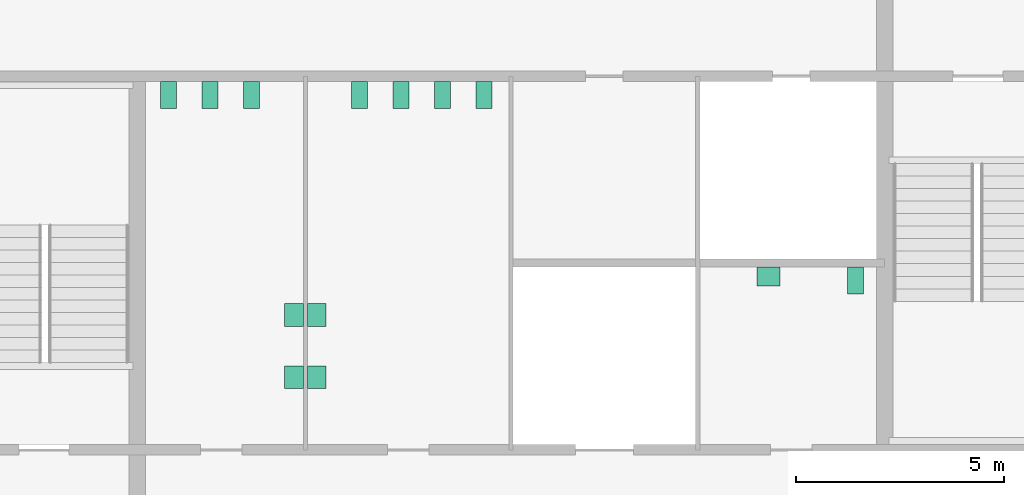
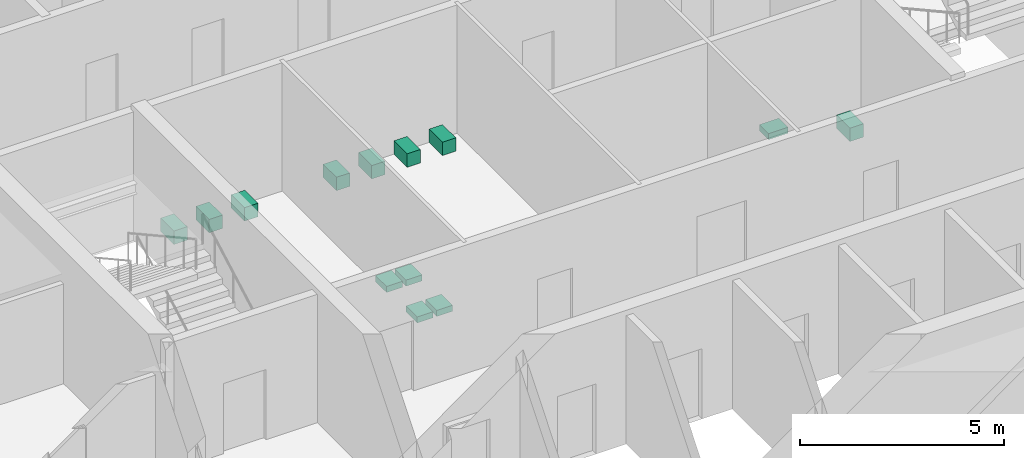
# One storey, part 12 of 12: 13 sanitary terminals.
"""IFC4 building model written with IfcOpenShell, lengths in metres."""

from ifc_helpers import new_model, si_unit, direction, frame, origin, origin_2d, place, context, subcontext, project, spatial, rectangle, extrude, material, type_object, element, save


model = new_model("IFC4")

# Units and contexts
model_context = context("Model", 3, precision=1e-05, world=origin(), true_north=direction((0.0, 1.0)))
body_context = subcontext(model_context, "Body", "Model", "MODEL_VIEW")
ifc_project = project(units=[si_unit("LENGTHUNIT", "METRE"), si_unit("AREAUNIT", "SQUARE_METRE"), si_unit("VOLUMEUNIT", "CUBIC_METRE"), si_unit("PLANEANGLEUNIT", "RADIAN"), si_unit("MASSUNIT", "GRAM", prefix="KILO")], contexts=[model_context])

# Site, building, storey
site_placement = place(None, origin())
site = spatial("IfcSite", under=ifc_project, at=site_placement, CompositionType="ELEMENT")
building_placement = place(site_placement, origin())
building = spatial("IfcBuilding", under=site, at=building_placement, Name="Corais Broadcast Tower", CompositionType="ELEMENT")
storey_placement = place(building_placement, frame((0.0, 0.0, 143.60009765625)))
storey = spatial("IfcBuildingStorey", under=building, at=storey_placement, Name="L32", CompositionType="ELEMENT", Elevation=143.60009765625)

# Sanitary terminals
ifc_material_1 = material(Name="Vitreous china", Category="ceramic")
sanitary_terminal_type_1 = type_object("IfcSanitaryTerminalType", Name="WC pan 380x650", PredefinedType="TOILETPAN", material=ifc_material_1)
for number, where, z_axis, x_axis, name in (
    (1, (18.75, 31.050048828125, 0.0), (0.0, 0.0, 1.0), (1.0, 0.0, 0.0), "SW1 WC pan, male toilets L32"),
    (2, (19.75, 31.050048828125, 0.0), (0.0, 0.0, 1.0), (1.0, 0.0, 0.0), "SW1 WC pan, male toilets L32"),
    (3, (20.75, 31.050048828125, 0.0), (0.0, 0.0, 1.0), (1.0, 0.0, 0.0), "SW1 WC pan, male toilets L32"),
    (4, (23.35009765625, 31.050048828125, 0.0), (0.0, 0.0, 1.0), (1.0, 0.0, 0.0), "SW1 WC pan, female toilets L32"),
    (5, (24.35009765625, 31.050048828125, 0.0), (0.0, 0.0, 1.0), (1.0, 0.0, 0.0), "SW1 WC pan, female toilets L32"),
    (6, (25.35009765625, 31.050048828125, 0.0), (0.0, 0.0, 1.0), (1.0, 0.0, 0.0), "SW1 WC pan, female toilets L32"),
    (7, (26.35009765625, 31.050048828125, 0.0), (0.0, 0.0, 1.0), (1.0, 0.0, 0.0), "SW1 WC pan, female toilets L32"),
    (8, (35.300048828125, 26.574951171875, 0.0), (0.0, 0.0, 1.0), (1.0, 0.0, 0.0), "SW1 WC pan, accessible WC L32"),
):
    element("IfcSanitaryTerminal", number, at=place(storey_placement, frame(where, z_axis=z_axis, x_axis=x_axis)), inside=storey, type_object=sanitary_terminal_type_1, Name=name, PredefinedType="TOILETPAN", context=body_context, shape_type="SweptSolid", body=[
        extrude(rectangle(XDim=0.3798828125, YDim=0.64990234375, at=origin_2d()), origin(), (0.0, 0.0, 1.0), 0.39990234375),
    ])
ifc_material_2 = material(Name="Vitreous china", Category="ceramic")
sanitary_terminal_type_2 = type_object("IfcSanitaryTerminalType", Name="Wash basin 550x450", PredefinedType="WASHHANDBASIN", material=ifc_material_2)
for number, where, z_axis, x_axis, name in (
    (9, (21.77490234375, 24.25, 0.69970703125), (0.0, 0.0, 1.0), (1.0, 0.0, 0.0), "WB1 wash basin, male toilets L32"),
    (10, (21.77490234375, 25.75, 0.69970703125), (0.0, 0.0, 1.0), (1.0, 0.0, 0.0), "WB1 wash basin, male toilets L32"),
    (11, (22.324951171875, 24.25, 0.69970703125), (0.0, 0.0, 1.0), (1.0, 0.0, 0.0), "WB1 wash basin, female toilets L32"),
    (12, (22.324951171875, 25.75, 0.69970703125), (0.0, 0.0, 1.0), (1.0, 0.0, 0.0), "WB1 wash basin, female toilets L32"),
):
    element("IfcSanitaryTerminal", number, at=place(storey_placement, frame(where, z_axis=z_axis, x_axis=x_axis)), inside=storey, type_object=sanitary_terminal_type_2, Name=name, PredefinedType="WASHHANDBASIN", context=body_context, shape_type="SweptSolid", body=[
        extrude(rectangle(XDim=0.449951171875, YDim=0.550048828125, at=origin_2d()), origin(), (0.0, 0.0, 1.0), 0.179931640625),
    ])
sanitary_terminal_placement = place(storey_placement, frame((33.199951171875, 26.675048828125, 0.69970703125), z_axis=(0.0, 0.0, 1.0), x_axis=(1.0, 0.0, 0.0)))
element("IfcSanitaryTerminal", 13, at=sanitary_terminal_placement, inside=storey, type_object=sanitary_terminal_type_2, Name="WB1 wash basin, accessible WC L32", PredefinedType="WASHHANDBASIN", context=body_context, shape_type="SweptSolid", body=[
    extrude(rectangle(XDim=0.550048828125, YDim=0.449951171875, at=origin_2d()), origin(), (0.0, 0.0, 1.0), 0.179931640625),
])

save(model, "model.ifc")
